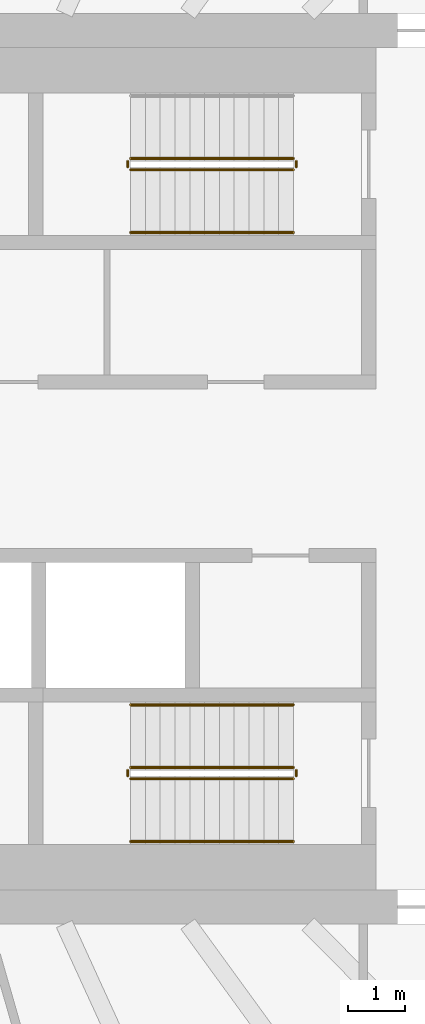
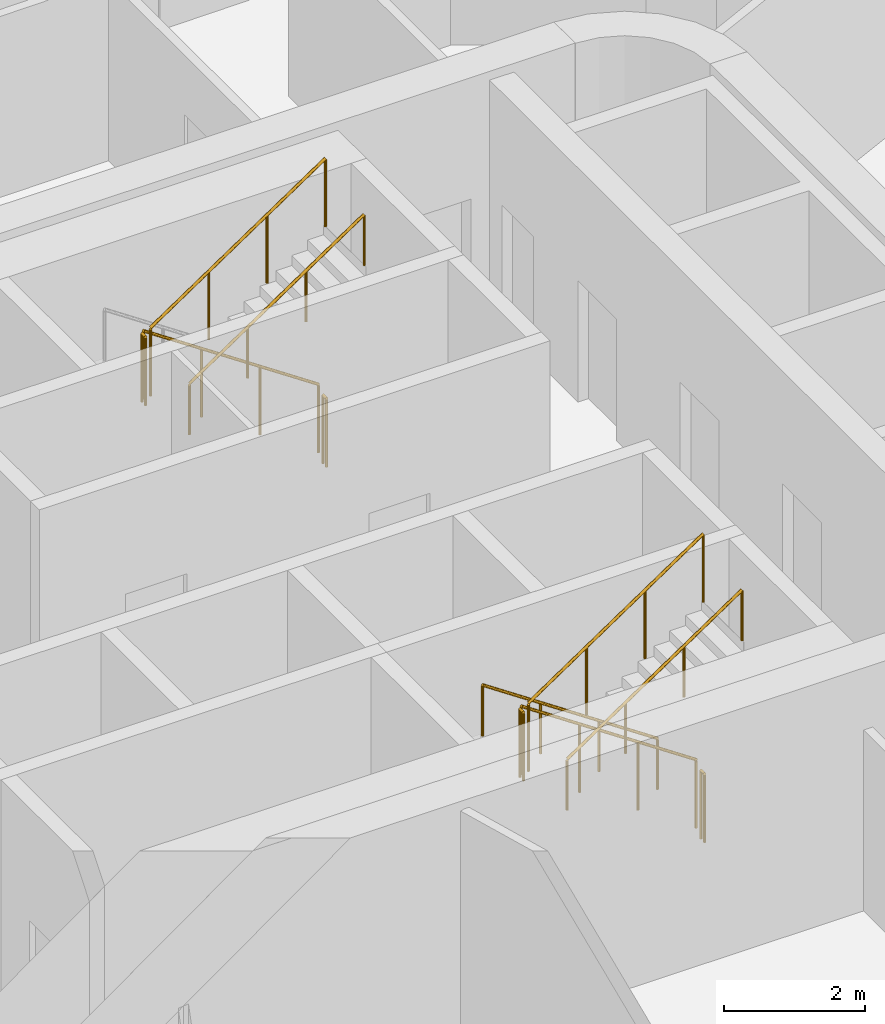
# One storey, part 23 of 25: 11 railings.
"""IFC4 building model written with IfcOpenShell, lengths in metres."""

from ifc_helpers import new_model, si_unit, direction, frame, origin, origin_2d, place, context, subcontext, project, spatial, circle, extrude, material, type_object, element, save


model = new_model("IFC4")

# Units and contexts
model_context = context("Model", 3, precision=1e-05, world=origin(), true_north=direction((0.0, 1.0)))
body_context = subcontext(model_context, "Body", "Model", "MODEL_VIEW")
ifc_project = project(units=[si_unit("LENGTHUNIT", "METRE"), si_unit("AREAUNIT", "SQUARE_METRE"), si_unit("VOLUMEUNIT", "CUBIC_METRE"), si_unit("PLANEANGLEUNIT", "RADIAN"), si_unit("MASSUNIT", "GRAM", prefix="KILO")], contexts=[model_context])

# Site, building, storey
site_placement = place(None, origin())
site = spatial("IfcSite", under=ifc_project, at=site_placement, CompositionType="ELEMENT")
building_placement = place(site_placement, origin())
building = spatial("IfcBuilding", under=site, at=building_placement, Name="Sahrelin Media Tower", CompositionType="ELEMENT")
storey_placement = place(building_placement, frame((0.0, 0.0, 79.800048828125)))
storey = spatial("IfcBuildingStorey", under=building, at=storey_placement, Name="L14", CompositionType="ELEMENT", Elevation=79.800048828125)

# Railings
ifc_material = material(Name="Steel S355", Category="steel")
railing_type_1 = type_object("IfcRailingType", Name="Stair guard 1200", PredefinedType="GUARDRAIL", material=ifc_material)
railing_1_placement = place(storey_placement, frame((7.675048828125, 5.449951171875, 0.175048828125)))
element("IfcRailing", 1, at=railing_1_placement, inside=storey, type_object=railing_type_1, Name="L14 ST3 stair guard 1", PredefinedType="GUARDRAIL", context=body_context, shape_type="SweptSolid", body=[
    extrude(circle(Radius=0.02392578125, at=origin_2d()), frame((0.0, 0.0, 1.17578125), z_axis=(-0.829623704247, 0.0, 0.558322943601), x_axis=(0.0, -1.0, 0.0)), (0.0, 0.0, 1.0), 3.447509765625),
    extrude(circle(Radius=0.02099609375, at=origin_2d()), origin(), (0.0, 0.0, 1.0), 1.15185546875),
    extrude(circle(Radius=0.02099609375, at=origin_2d()), frame((-0.953369140625, 0.0, 0.6416015625)), (0.0, 0.0, 1.0), 1.15185546875),
    extrude(circle(Radius=0.02099609375, at=origin_2d()), frame((-1.90673828125, 0.0, 1.283203125)), (0.0, 0.0, 1.0), 1.15185546875),
    extrude(circle(Radius=0.02099609375, at=origin_2d()), frame((-2.860107421875, 0.0, 1.9248046875)), (0.0, 0.0, 1.0), 1.15185546875),
])
railing_2_placement = place(storey_placement, frame((4.764892578125, 5.39990234375, 2.099853515625)))
element("IfcRailing", 2, at=railing_2_placement, inside=storey, type_object=railing_type_1, Name="L14 ST3 stair guard 2", PredefinedType="GUARDRAIL", context=body_context, shape_type="SweptSolid", body=[
    extrude(circle(Radius=0.02392578125, at=origin_2d()), frame((0.0, 0.0, 1.17578125), z_axis=(0.0, -1.0, 0.0), x_axis=(1.0, 0.0, 0.0)), (0.0, 0.0, 1.0), 0.099853515625),
    extrude(circle(Radius=0.02099609375, at=origin_2d()), origin(), (0.0, 0.0, 1.0), 1.15185546875),
    extrude(circle(Radius=0.02099609375, at=origin_2d()), frame((0.0, -0.099853515625, 0.0)), (0.0, 0.0, 1.0), 1.15185546875),
])
railing_3_placement = place(storey_placement, frame((4.81494140625, 5.25, 2.27490234375)))
element("IfcRailing", 3, at=railing_3_placement, inside=storey, type_object=railing_type_1, Name="L14 ST3 stair guard 3", PredefinedType="GUARDRAIL", context=body_context, shape_type="SweptSolid", body=[
    extrude(circle(Radius=0.02392578125, at=origin_2d()), frame((0.0, 0.0, 1.17578125), z_axis=(0.829590901723, 0.0, 0.558371682465), x_axis=(0.0, 1.0, 0.0)), (0.0, 0.0, 1.0), 3.447509765625),
    extrude(circle(Radius=0.02099609375, at=origin_2d()), origin(), (0.0, 0.0, 1.0), 1.15185546875),
    extrude(circle(Radius=0.02099609375, at=origin_2d()), frame((0.953369140625, 0.0, 0.6416015625)), (0.0, 0.0, 1.0), 1.15185546875),
    extrude(circle(Radius=0.02099609375, at=origin_2d()), frame((1.90673828125, 0.0, 1.283447265625)), (0.0, 0.0, 1.0), 1.15185546875),
    extrude(circle(Radius=0.02099609375, at=origin_2d()), frame((2.860107421875, 0.0, 1.925048828125)), (0.0, 0.0, 1.0), 1.15185546875),
])
railing_4_placement = place(storey_placement, frame((7.72509765625, 5.39990234375, 0.0)))
element("IfcRailing", 4, at=railing_4_placement, inside=storey, type_object=railing_type_1, Name="L14 ST3 stair guard 4", PredefinedType="GUARDRAIL", context=body_context, shape_type="SweptSolid", body=[
    extrude(circle(Radius=0.02392578125, at=origin_2d()), frame((0.0, 0.0, 1.17578125), z_axis=(0.0, -1.0, 0.0), x_axis=(1.0, 0.0, 0.0)), (0.0, 0.0, 1.0), 0.099853515625),
    extrude(circle(Radius=0.02099609375, at=origin_2d()), origin(), (0.0, 0.0, 1.0), 1.15185546875),
    extrude(circle(Radius=0.02099609375, at=origin_2d()), frame((0.0, -0.099853515625, 0.0)), (0.0, 0.0, 1.0), 1.15185546875),
])
railing_5_placement = place(storey_placement, frame((7.675048828125, -5.25, 0.175048828125)))
element("IfcRailing", 5, at=railing_5_placement, inside=storey, type_object=railing_type_1, Name="L14 ST2 stair guard 1", PredefinedType="GUARDRAIL", context=body_context, shape_type="SweptSolid", body=[
    extrude(circle(Radius=0.02392578125, at=origin_2d()), frame((0.0, 0.0, 1.17578125), z_axis=(-0.829623704247, 0.0, 0.558322943601), x_axis=(0.0, -1.0, 0.0)), (0.0, 0.0, 1.0), 3.447509765625),
    extrude(circle(Radius=0.02099609375, at=origin_2d()), origin(), (0.0, 0.0, 1.0), 1.15185546875),
    extrude(circle(Radius=0.02099609375, at=origin_2d()), frame((-0.953369140625, 0.0, 0.6416015625)), (0.0, 0.0, 1.0), 1.15185546875),
    extrude(circle(Radius=0.02099609375, at=origin_2d()), frame((-1.90673828125, 0.0, 1.283203125)), (0.0, 0.0, 1.0), 1.15185546875),
    extrude(circle(Radius=0.02099609375, at=origin_2d()), frame((-2.860107421875, 0.0, 1.9248046875)), (0.0, 0.0, 1.0), 1.15185546875),
])
railing_6_placement = place(storey_placement, frame((4.764892578125, -5.300048828125, 2.099853515625)))
element("IfcRailing", 6, at=railing_6_placement, inside=storey, type_object=railing_type_1, Name="L14 ST2 stair guard 2", PredefinedType="GUARDRAIL", context=body_context, shape_type="SweptSolid", body=[
    extrude(circle(Radius=0.02392578125, at=origin_2d()), frame((0.0, 0.0, 1.17578125), z_axis=(0.0, -1.0, 0.0), x_axis=(1.0, 0.0, 0.0)), (0.0, 0.0, 1.0), 0.099853515625),
    extrude(circle(Radius=0.02099609375, at=origin_2d()), origin(), (0.0, 0.0, 1.0), 1.15185546875),
    extrude(circle(Radius=0.02099609375, at=origin_2d()), frame((0.0, -0.099853515625, 0.0)), (0.0, 0.0, 1.0), 1.15185546875),
])
railing_7_placement = place(storey_placement, frame((4.81494140625, -5.449951171875, 2.27490234375)))
element("IfcRailing", 7, at=railing_7_placement, inside=storey, type_object=railing_type_1, Name="L14 ST2 stair guard 3", PredefinedType="GUARDRAIL", context=body_context, shape_type="SweptSolid", body=[
    extrude(circle(Radius=0.02392578125, at=origin_2d()), frame((0.0, 0.0, 1.17578125), z_axis=(0.829590901723, 0.0, 0.558371682465), x_axis=(0.0, 1.0, 0.0)), (0.0, 0.0, 1.0), 3.447509765625),
    extrude(circle(Radius=0.02099609375, at=origin_2d()), origin(), (0.0, 0.0, 1.0), 1.15185546875),
    extrude(circle(Radius=0.02099609375, at=origin_2d()), frame((0.953369140625, 0.0, 0.6416015625)), (0.0, 0.0, 1.0), 1.15185546875),
    extrude(circle(Radius=0.02099609375, at=origin_2d()), frame((1.90673828125, 0.0, 1.283447265625)), (0.0, 0.0, 1.0), 1.15185546875),
    extrude(circle(Radius=0.02099609375, at=origin_2d()), frame((2.860107421875, 0.0, 1.925048828125)), (0.0, 0.0, 1.0), 1.15185546875),
])
railing_8_placement = place(storey_placement, frame((7.72509765625, -5.300048828125, 0.0)))
element("IfcRailing", 8, at=railing_8_placement, inside=storey, type_object=railing_type_1, Name="L14 ST2 stair guard 4", PredefinedType="GUARDRAIL", context=body_context, shape_type="SweptSolid", body=[
    extrude(circle(Radius=0.02392578125, at=origin_2d()), frame((0.0, 0.0, 1.17578125), z_axis=(0.0, -1.0, 0.0), x_axis=(1.0, 0.0, 0.0)), (0.0, 0.0, 1.0), 0.099853515625),
    extrude(circle(Radius=0.02099609375, at=origin_2d()), origin(), (0.0, 0.0, 1.0), 1.15185546875),
    extrude(circle(Radius=0.02099609375, at=origin_2d()), frame((0.0, -0.099853515625, 0.0)), (0.0, 0.0, 1.0), 1.15185546875),
])
railing_type_2 = type_object("IfcRailingType", Name="Stair handrail 900", PredefinedType="HANDRAIL", material=ifc_material)
railing_9_placement = place(storey_placement, frame((4.81494140625, 4.14990234375, 2.27490234375)))
element("IfcRailing", 9, at=railing_9_placement, inside=storey, type_object=railing_type_2, Name="L14 ST3 stair handrail 2", PredefinedType="HANDRAIL", context=body_context, shape_type="SweptSolid", body=[
    extrude(circle(Radius=0.02392578125, at=origin_2d()), frame((0.0, 0.0, 0.8759765625), z_axis=(0.829590901723, 0.0, 0.558371682465), x_axis=(0.0, 1.0, 0.0)), (0.0, 0.0, 1.0), 3.447509765625),
    extrude(circle(Radius=0.02099609375, at=origin_2d()), origin(), (0.0, 0.0, 1.0), 0.851806640625),
    extrude(circle(Radius=0.02099609375, at=origin_2d()), frame((0.953369140625, 0.0, 0.6416015625)), (0.0, 0.0, 1.0), 0.851806640625),
    extrude(circle(Radius=0.02099609375, at=origin_2d()), frame((1.90673828125, 0.0, 1.283447265625)), (0.0, 0.0, 1.0), 0.851806640625),
    extrude(circle(Radius=0.02099609375, at=origin_2d()), frame((2.860107421875, 0.0, 1.925048828125)), (0.0, 0.0, 1.0), 0.851806640625),
])
railing_10_placement = place(storey_placement, frame((7.675048828125, -4.14990234375, 0.175048828125)))
element("IfcRailing", 10, at=railing_10_placement, inside=storey, type_object=railing_type_2, Name="L14 ST2 stair handrail 1", PredefinedType="HANDRAIL", context=body_context, shape_type="SweptSolid", body=[
    extrude(circle(Radius=0.02392578125, at=origin_2d()), frame((0.0, 0.0, 0.8759765625), z_axis=(-0.829623704247, 0.0, 0.558322943601), x_axis=(0.0, -1.0, 0.0)), (0.0, 0.0, 1.0), 3.447509765625),
    extrude(circle(Radius=0.02099609375, at=origin_2d()), origin(), (0.0, 0.0, 1.0), 0.851806640625),
    extrude(circle(Radius=0.02099609375, at=origin_2d()), frame((-0.953369140625, 0.0, 0.6416015625)), (0.0, 0.0, 1.0), 0.851806640625),
    extrude(circle(Radius=0.02099609375, at=origin_2d()), frame((-1.90673828125, 0.0, 1.283203125)), (0.0, 0.0, 1.0), 0.851806640625),
    extrude(circle(Radius=0.02099609375, at=origin_2d()), frame((-2.860107421875, 0.0, 1.9248046875)), (0.0, 0.0, 1.0), 0.851806640625),
])
railing_11_placement = place(storey_placement, frame((4.81494140625, -6.550048828125, 2.27490234375)))
element("IfcRailing", 11, at=railing_11_placement, inside=storey, type_object=railing_type_2, Name="L14 ST2 stair handrail 2", PredefinedType="HANDRAIL", context=body_context, shape_type="SweptSolid", body=[
    extrude(circle(Radius=0.02392578125, at=origin_2d()), frame((0.0, 0.0, 0.8759765625), z_axis=(0.829590901723, 0.0, 0.558371682465), x_axis=(0.0, 1.0, 0.0)), (0.0, 0.0, 1.0), 3.447509765625),
    extrude(circle(Radius=0.02099609375, at=origin_2d()), origin(), (0.0, 0.0, 1.0), 0.851806640625),
    extrude(circle(Radius=0.02099609375, at=origin_2d()), frame((0.953369140625, 0.0, 0.6416015625)), (0.0, 0.0, 1.0), 0.851806640625),
    extrude(circle(Radius=0.02099609375, at=origin_2d()), frame((1.90673828125, 0.0, 1.283447265625)), (0.0, 0.0, 1.0), 0.851806640625),
    extrude(circle(Radius=0.02099609375, at=origin_2d()), frame((2.860107421875, 0.0, 1.925048828125)), (0.0, 0.0, 1.0), 0.851806640625),
])

save(model, "model.ifc")
